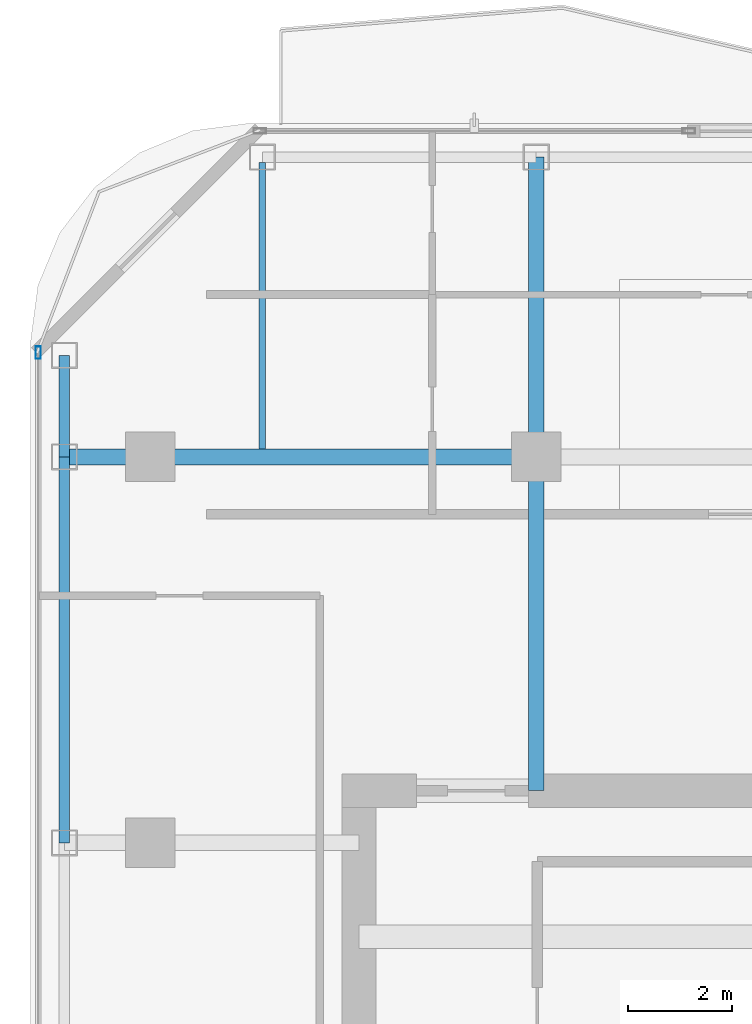
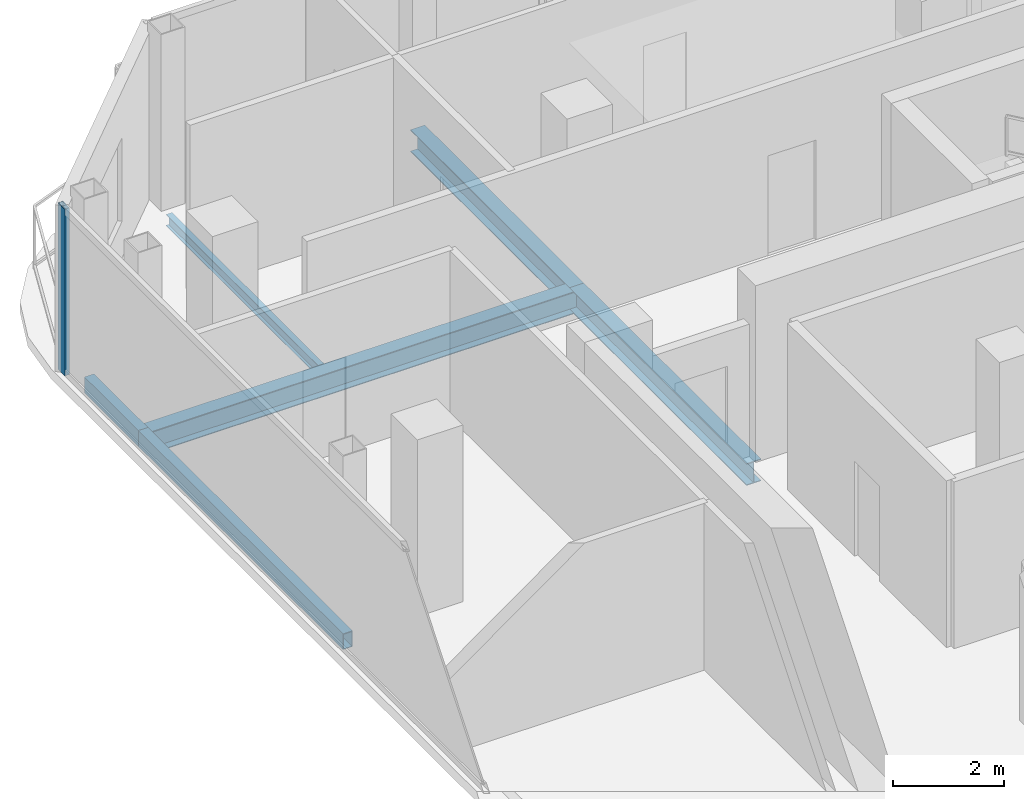
# One storey, part 11 of 26: 6 beams, 1 member, 1 element without a shape of its own.
"""IFC4 building model written with IfcOpenShell, lengths in metres."""

from ifc_helpers import new_model, si_unit, direction, frame, origin, origin_2d, place, context, subcontext, project, spatial, hollow_rectangle, i_section, extrude, material, layer, layer_set, material_profile, profile_set, type_object, element, aggregate, save


model = new_model("IFC4")

# Units and contexts
model_context = context("Model", 3, precision=1e-05, world=origin(), true_north=direction((0.0, 1.0)))
body_context = subcontext(model_context, "Body", "Model", "MODEL_VIEW")
ifc_project = project(units=[si_unit("LENGTHUNIT", "METRE"), si_unit("AREAUNIT", "SQUARE_METRE"), si_unit("VOLUMEUNIT", "CUBIC_METRE"), si_unit("PLANEANGLEUNIT", "RADIAN"), si_unit("MASSUNIT", "GRAM", prefix="KILO")], contexts=[model_context])

# Site, building, storey
site_placement = place(None, origin())
site = spatial("IfcSite", under=ifc_project, at=site_placement, CompositionType="ELEMENT")
building_placement = place(site_placement, origin())
building = spatial("IfcBuilding", under=site, at=building_placement, Name="Khorvyn Point Tower", CompositionType="ELEMENT")
storey_placement = place(building_placement, frame((0.0, 0.0, 262.5)))
storey = spatial("IfcBuildingStorey", under=building, at=storey_placement, Name="L64", CompositionType="ELEMENT", Elevation=262.5)

# Curtain wall, member
ifc_material_1 = material(Name="Anodised aluminium 6063-T6 and laminated Low-E glass", Category="aluminium")
ifc_layer = layer(ifc_material_1, 0.18994140625)
ifc_layer_set = layer_set([ifc_layer], Name="Stick-Built High-Wind Curtain Wall CW-SYS-04")
curtain_wall_type = type_object("IfcCurtainWallType", Name="Stick-Built High-Wind Curtain Wall CW-SYS-04", PredefinedType="NOTDEFINED", material=ifc_layer_set)
curtain_wall_placement = place(storey_placement, origin())
curtain_wall = element("IfcCurtainWall", 1, at=curtain_wall_placement, inside=storey, type_object=curtain_wall_type, Name="Curtain Wall", PredefinedType="NOTDEFINED")
ifc_material_2 = material(Name="Anodised aluminium 6063-T6", Category="aluminium")
ifc_material_profile_1 = material_profile(ifc_material_2, hollow_rectangle(XDim=0.10009765625, YDim=0.239990234375, WallThickness=0.0048828125, at=origin_2d()))
ifc_profile_set_1 = profile_set([ifc_material_profile_1], Name="Anodised aluminium 6063-T6 ALU-MUL-100x240")
member_type = type_object("IfcMemberType", Name="Anodised Aluminium 6063-T6 Mullion ALU-MUL-100x240", PredefinedType="MULLION", material=ifc_profile_set_1)
member_placement = place(storey_placement, frame((-16.949951171875, 16.800048828125, 0.0), z_axis=(0.0, 0.0, 1.0), x_axis=(-1.0, 0.0, 0.0)))
member = element("IfcMember", 2, at=member_placement, type_object=member_type, Name="Transom", PredefinedType="MULLION", context=body_context, shape_type="SweptSolid", body=[
    extrude(hollow_rectangle(XDim=0.10009765625, YDim=0.239990234375, WallThickness=0.0048828125, at=origin_2d()), origin(), (0.0, 0.0, 1.0), 3.679931640625),
])
aggregate(curtain_wall, [member])

# Beams
ifc_material_3 = material(Name="Steel S355", Category="steel")
ifc_material_profile_2 = material_profile(ifc_material_3, i_section(OverallWidth=0.125, OverallDepth=0.25, WebThickness=0.006103515625, FlangeThickness=0.009033203125, at=origin_2d()))
ifc_profile_set_2 = profile_set([ifc_material_profile_2], Name="Steel S355 H250x125x6x9")
beam_type_1 = type_object("IfcBeamType", Name="Steel S355 Joist H250x125x6x9", PredefinedType="JOIST", material=ifc_profile_set_2)
beam_1_placement = place(storey_placement, frame((-12.64990234375, 14.949951171875, -0.344970703125), z_axis=(0.0, 1.0, 0.0), x_axis=(-1.0, 0.0, 0.0)))
element("IfcBeam", 3, at=beam_1_placement, inside=storey, type_object=beam_type_1, Name="Beam", PredefinedType="JOIST", context=body_context, shape_type="SweptSolid", body=[
    extrude(i_section(OverallWidth=0.125, OverallDepth=0.25, WebThickness=0.006103515625, FlangeThickness=0.009033203125, at=origin_2d()), origin(), (0.0, 0.0, 1.0), 5.5),
])
ifc_material_profile_3 = material_profile(ifc_material_3, i_section(OverallWidth=0.300048828125, OverallDepth=0.488037109375, WebThickness=0.010986328125, FlangeThickness=0.01806640625, at=origin_2d()))
ifc_profile_set_3 = profile_set([ifc_material_profile_3], Name="Steel S355 H488x300x11x18")
beam_type_2 = type_object("IfcBeamType", Name="Steel S355 Spandrel H488x300x11x18", PredefinedType="SPANDREL", material=ifc_profile_set_3)
beam_2_placement = place(storey_placement, frame((-16.449951171875, 14.800048828125, -0.464111328125), z_axis=(1.0, 0.0, 0.0), x_axis=(0.0, 1.0, 0.0)))
element("IfcBeam", 4, at=beam_2_placement, inside=storey, type_object=beam_type_2, Name="Beam", PredefinedType="SPANDREL", context=body_context, shape_type="SweptSolid", body=[
    extrude(i_section(OverallWidth=0.300048828125, OverallDepth=0.488037109375, WebThickness=0.010986328125, FlangeThickness=0.01806640625, at=origin_2d()), origin(), (0.0, 0.0, 1.0), 9.050048828125),
])
beam_3_placement = place(storey_placement, frame((-7.39990234375, 8.39990234375, -0.464111328125), z_axis=(0.0, 1.0, 0.0), x_axis=(-1.0, 0.0, 0.0)))
element("IfcBeam", 5, at=beam_3_placement, inside=storey, type_object=beam_type_2, Name="Beam", PredefinedType="SPANDREL", context=body_context, shape_type="SweptSolid", body=[
    extrude(i_section(OverallWidth=0.300048828125, OverallDepth=0.488037109375, WebThickness=0.010986328125, FlangeThickness=0.01806640625, at=origin_2d()), origin(), (0.0, 0.0, 1.0), 6.400146484375),
])
beam_4_placement = place(storey_placement, frame((-7.39990234375, 14.800048828125, -0.464111328125), z_axis=(0.0, 1.0, 0.0), x_axis=(-1.0, 0.0, 0.0)))
element("IfcBeam", 6, at=beam_4_placement, inside=storey, type_object=beam_type_2, Name="Beam", PredefinedType="SPANDREL", context=body_context, shape_type="SweptSolid", body=[
    extrude(i_section(OverallWidth=0.300048828125, OverallDepth=0.488037109375, WebThickness=0.010986328125, FlangeThickness=0.01806640625, at=origin_2d()), origin(), (0.0, 0.0, 1.0), 5.75),
])
ifc_material_profile_4 = material_profile(ifc_material_3, hollow_rectangle(XDim=0.199951171875, YDim=0.35009765625, WallThickness=0.013916015625, at=origin_2d()))
ifc_profile_set_4 = profile_set([ifc_material_profile_4], Name="Steel S355 RHS350x200x14")
beam_type_3 = type_object("IfcBeamType", Name="Steel S355 Spandrel RHS350x200x14", PredefinedType="SPANDREL", material=ifc_profile_set_4)
beam_5_placement = place(storey_placement, frame((-16.449951171875, 7.39990234375, -0.39501953125), z_axis=(0.0, 1.0, 0.0), x_axis=(-1.0, 0.0, 0.0)))
element("IfcBeam", 7, at=beam_5_placement, inside=storey, type_object=beam_type_3, Name="Beam", PredefinedType="SPANDREL", context=body_context, shape_type="SweptSolid", body=[
    extrude(hollow_rectangle(XDim=0.199951171875, YDim=0.35009765625, WallThickness=0.013916015625, at=origin_2d()), origin(), (0.0, 0.0, 1.0), 7.400146484375),
])
beam_6_placement = place(storey_placement, frame((-16.449951171875, 14.800048828125, -0.39501953125), z_axis=(0.0, 1.0, 0.0), x_axis=(-1.0, 0.0, 0.0)))
element("IfcBeam", 8, at=beam_6_placement, inside=storey, type_object=beam_type_3, Name="Beam", PredefinedType="SPANDREL", context=body_context, shape_type="SweptSolid", body=[
    extrude(hollow_rectangle(XDim=0.199951171875, YDim=0.35009765625, WallThickness=0.013916015625, at=origin_2d()), origin(), (0.0, 0.0, 1.0), 1.949951171875),
])

save(model, "model.ifc")
